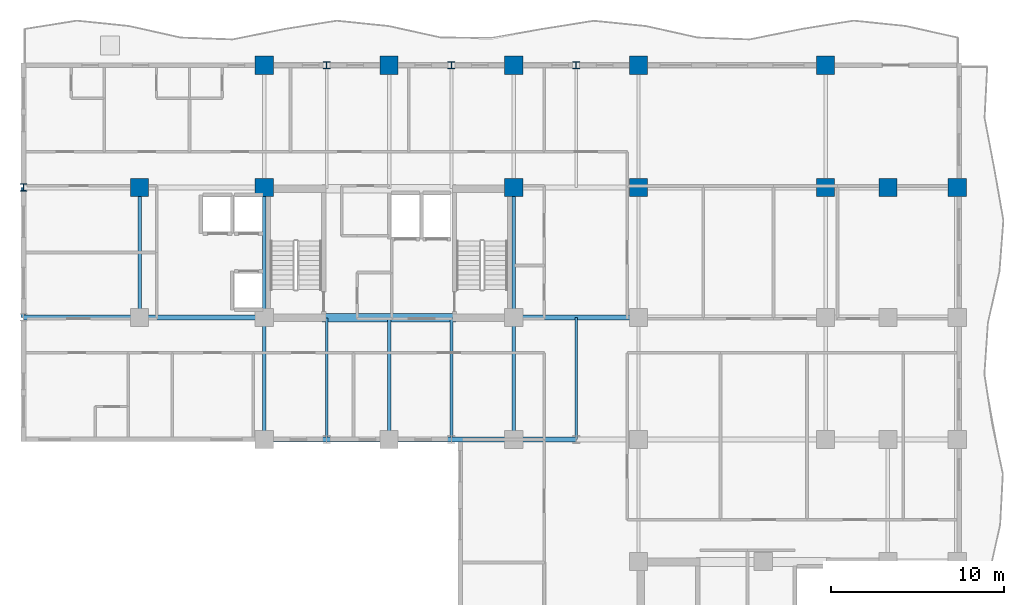
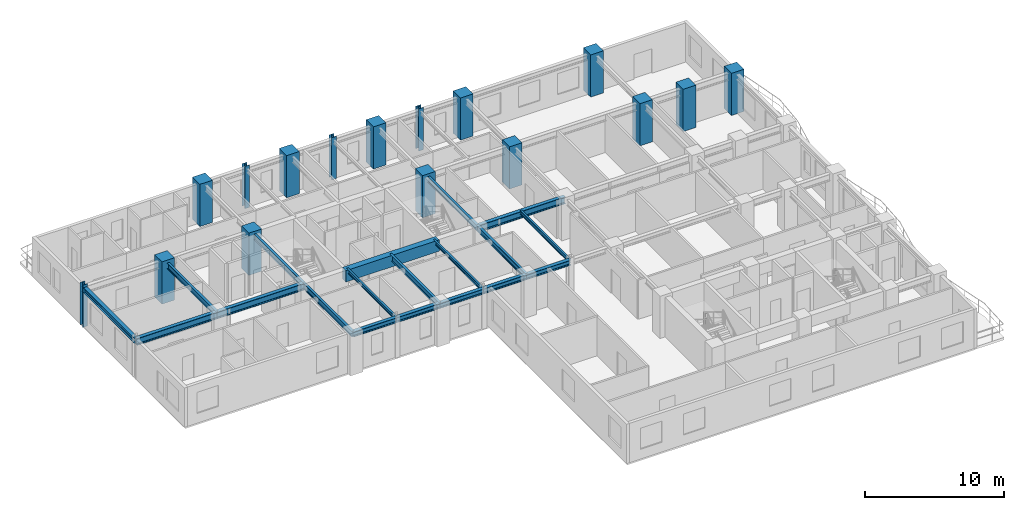
# One storey, part 2 of 13: 19 beams, 16 columns.
"""IFC4 building model written with IfcOpenShell, lengths in metres."""

import ifcopenshell
import ifcopenshell.guid

model = None  # the IFC model being written
_history = None  # IfcOwnerHistory: only IFC2X3 demands one
_inside = {}  # id of a spatial element -> (the spatial element, [elements in it])
_under = {}  # id of a project, library or spatial element -> (it, [spatial elements below it])
_declared = {}  # id of a project -> (the project, [libraries it declares])
_typed = {}  # id of a type object -> (the type object, [elements of that type])
_made_of = {}  # id of a material, layer set ... -> (it, [elements and type objects made of it])


def new_model(schema):
    """Start an empty IFC model of exactly this schema.

    Asked for "IFC4X3", IfcOpenShell would pick the latest addendum, in which some entities
    have other attributes; the version numbers below select the first issue.
    IFC2X3 requires an IfcOwnerHistory on every rooted entity: one is made here for all.
    """
    global model, _history
    if schema == "IFC4X3":
        model = ifcopenshell.file(schema_version=(4, 3, 0, 0))
    else:
        model = ifcopenshell.file(schema=schema)
    _inside.clear()
    _under.clear()
    _declared.clear()
    _typed.clear()
    _made_of.clear()
    _history = None
    if model.schema == "IFC2X3":
        org = make("IfcOrganization", Name="unknown")
        user = make(
            "IfcPersonAndOrganization",
            ThePerson=make("IfcPerson", FamilyName="unknown"),
            TheOrganization=org,
        )
        app = make(
            "IfcApplication",
            ApplicationDeveloper=org,
            Version="unknown",
            ApplicationFullName="unknown",
            ApplicationIdentifier="unknown",
        )
        _history = make(
            "IfcOwnerHistory",
            OwningUser=user,
            OwningApplication=app,
            ChangeAction="ADDED",
            CreationDate=0,
        )
    return model


def make(cls, **values):
    """One entity of the class cls with the attributes given. An attribute that is None is left unset."""
    return model.create_entity(
        cls, **{name: value for name, value in values.items() if value is not None}
    )


def rooted(cls, **values):
    """An entity with a GlobalId (a new one), such as an element, a storey or a relation."""
    return make(cls, GlobalId=ifcopenshell.guid.new(), OwnerHistory=_history, **values)


def si_unit(unit_type, name, prefix=None):
    """IfcSIUnit, for example si_unit("LENGTHUNIT", "METRE", prefix="MILLI")."""
    return make("IfcSIUnit", UnitType=unit_type, Prefix=prefix, Name=name)


def assignment(units):
    """IfcUnitAssignment: the units of a project."""
    return None if units is None else make("IfcUnitAssignment", Units=units)


def point(xyz):
    """IfcCartesianPoint."""
    return None if xyz is None else make("IfcCartesianPoint", Coordinates=xyz)


def direction(xyz):
    """IfcDirection."""
    return None if xyz is None else make("IfcDirection", DirectionRatios=xyz)


def frame(location, z_axis=None, x_axis=None):
    """IfcAxis2Placement3D, a coordinate frame: its origin and axes. An axis left out is left unset."""
    return make(
        "IfcAxis2Placement3D",
        Location=point(location),
        Axis=direction(z_axis),
        RefDirection=direction(x_axis),
    )


def frame_2d(location, x_axis=None):
    """IfcAxis2Placement2D, a coordinate frame in the plane: its origin and x axis."""
    return make(
        "IfcAxis2Placement2D", Location=point(location), RefDirection=direction(x_axis)
    )


def origin():
    """The frame at (0, 0, 0) with its axes left unset."""
    return frame((0.0, 0.0, 0.0))


def origin_2d():
    """The frame at (0, 0) in the plane with its x axis left unset."""
    return frame_2d((0.0, 0.0))


def place(relative_to, where):
    """IfcLocalPlacement: puts the frame where relative to a parent placement (None: the world)."""
    return make(
        "IfcLocalPlacement", PlacementRelTo=relative_to, RelativePlacement=where
    )


def context(
    kind, dimensions, precision=None, world=None, true_north=None, identifier=None
):
    """IfcGeometricRepresentationContext, for example the 3D "Model" context."""
    return make(
        "IfcGeometricRepresentationContext",
        ContextIdentifier=identifier,
        ContextType=kind,
        CoordinateSpaceDimension=dimensions,
        Precision=precision,
        WorldCoordinateSystem=world,
        TrueNorth=true_north,
    )


def subcontext(parent, identifier, kind, view, scale=None):
    """IfcGeometricRepresentationSubContext, for example "Body" below "Model"."""
    return make(
        "IfcGeometricRepresentationSubContext",
        ContextIdentifier=identifier,
        ContextType=kind,
        ParentContext=parent,
        TargetScale=scale,
        TargetView=view,
    )


def project(units=None, contexts=None):
    """IfcProject with its units and contexts."""
    return rooted(
        "IfcProject",
        Name="project",
        RepresentationContexts=contexts,
        UnitsInContext=assignment(units),
    )


def spatial(cls, under=None, at=None, **own):
    """A site, building, storey or space (cls), placed at a placement, below another one or the project."""
    s = rooted(cls, ObjectPlacement=at, **own)
    if under is not None:
        _under.setdefault(under.id(), (under, []))[1].append(s)
    return s


def profile(cls, at=None, kind="AREA", **sizes):
    """A parametric profile (cls). Its sizes go by their IFC names, for example OverallWidth=200.0."""
    return make(cls, ProfileType=kind, Position=at, **sizes)


def rectangle(**sizes):
    """IfcRectangleProfileDef."""
    return profile("IfcRectangleProfileDef", **sizes)


def i_section(**sizes):
    """IfcIShapeProfileDef."""
    return profile("IfcIShapeProfileDef", **sizes)


def extrude(swept, where, along, depth):
    """IfcExtrudedAreaSolid: the profile swept, set in the frame where, extruded along a direction by depth."""
    return make(
        "IfcExtrudedAreaSolid",
        SweptArea=swept,
        Position=where,
        ExtrudedDirection=direction(along),
        Depth=depth,
    )


def shape(context_of_items, identifier, shape_type, items):
    """IfcShapeRepresentation: the items that make up one representation, for example the "Body"."""
    return make(
        "IfcShapeRepresentation",
        ContextOfItems=context_of_items,
        RepresentationIdentifier=identifier,
        RepresentationType=shape_type,
        Items=items,
    )


def source(mapping_origin, context_of_items, identifier, shape_type, items):
    """IfcRepresentationMap: a shape defined once, which mapped items show again and again."""
    return make(
        "IfcRepresentationMap",
        MappingOrigin=mapping_origin,
        MappedRepresentation=shape(context_of_items, identifier, shape_type, items),
    )


def transform(
    local_origin,
    x_axis=None,
    y_axis=None,
    z_axis=None,
    scale=None,
    scale2=None,
    scale3=None,
    uniform=True,
):
    """IfcCartesianTransformationOperator3D, or its non-uniform kind. x_axis, y_axis, z_axis: its Axis1, 2, 3."""
    if uniform:
        return make(
            "IfcCartesianTransformationOperator3D",
            Axis1=direction(x_axis),
            Axis2=direction(y_axis),
            LocalOrigin=point(local_origin),
            Scale=scale,
            Axis3=direction(z_axis),
        )
    return make(
        "IfcCartesianTransformationOperator3DnonUniform",
        Axis1=direction(x_axis),
        Axis2=direction(y_axis),
        LocalOrigin=point(local_origin),
        Scale=scale,
        Axis3=direction(z_axis),
        Scale2=scale2,
        Scale3=scale3,
    )


def mapped(mapping_source, mapping_target):
    """IfcMappedItem: shows the shape of a source again, moved by a transform."""
    return make(
        "IfcMappedItem", MappingSource=mapping_source, MappingTarget=mapping_target
    )


def material(Name=None, Category=None):
    """IfcMaterial."""
    return make("IfcMaterial", Name=Name, Category=Category)


def material_profile(
    of_material, cross_section, Name=None, Category=None, Priority=None
):
    """IfcMaterialProfile: a cross section and its material."""
    return make(
        "IfcMaterialProfile",
        Name=Name,
        Material=of_material,
        Profile=cross_section,
        Priority=Priority,
        Category=Category,
    )


def profile_set(profiles, Name=None, composite=None):
    """IfcMaterialProfileSet."""
    return make(
        "IfcMaterialProfileSet",
        Name=Name,
        MaterialProfiles=profiles,
        CompositeProfile=composite,
    )


def made_of(thing, what):
    """Note that an element or type object is made of a material, layer set ...; save() writes the relation."""
    if what is not None:
        _made_of.setdefault(what.id(), (what, []))[1].append(thing)
    return thing


def type_object(cls, material=None, **own):
    """A type object (cls), such as IfcWallType, which elements share."""
    return made_of(rooted(cls, **own), material)


def element(
    cls,
    number,
    at=None,
    inside=None,
    cuts=None,
    type_object=None,
    material=None,
    context=None,
    identifier="Body",
    shape_type=None,
    held_by="IfcProductDefinitionShape",
    body=None,
    shapes=None,
    **own,
):
    """One element of the class cls, such as IfcWall. Its Tag is "e" and its number.

    at: its placement. inside: the storey or other place that contains it. cuts: it is an
    opening in that element (IfcRelVoidsElement). A single representation is given by context,
    identifier, shape_type and body (its items); several are given by shapes. held_by: the class
    of the entity that holds the representations. save() writes the other relations.
    """
    e = rooted(cls, Tag="e%d" % number, ObjectPlacement=at, **own)
    if body is not None:
        shapes = [shape(context, identifier, shape_type, body)]
    if shapes is not None:
        e.Representation = make(held_by, Representations=shapes)
    if inside is not None:
        _inside.setdefault(inside.id(), (inside, []))[1].append(e)
    if cuts is not None:
        rooted(
            "IfcRelVoidsElement", RelatingBuildingElement=cuts, RelatedOpeningElement=e
        )
    if type_object is not None:
        _typed.setdefault(type_object.id(), (type_object, []))[1].append(e)
    return made_of(e, material)


def aggregate(whole, parts):
    """IfcRelAggregates: a whole, such as a stair, and the parts it consists of."""
    return rooted("IfcRelAggregates", RelatingObject=whole, RelatedObjects=parts)


def save(model, path):
    """Write the relations noted so far, then the file.

    IfcRelAggregates (storeys below a building ...), IfcRelContainedInSpatialStructure (elements
    in a storey), IfcRelDefinesByType, IfcRelAssociatesMaterial and IfcRelDeclares: one each for
    every whole, place, type object, material and project.
    """
    for whole, parts in _under.values():
        aggregate(whole, parts)
    for where, things in _inside.values():
        rooted(
            "IfcRelContainedInSpatialStructure",
            RelatedElements=things,
            RelatingStructure=where,
        )
    for kind, things in _typed.values():
        rooted("IfcRelDefinesByType", RelatedObjects=things, RelatingType=kind)
    for what, things in _made_of.values():
        rooted("IfcRelAssociatesMaterial", RelatedObjects=things, RelatingMaterial=what)
    for by, libraries in _declared.values():
        rooted("IfcRelDeclares", RelatingContext=by, RelatedDefinitions=libraries)
    model.write(path)


model = new_model("IFC4")

# Units and contexts
model_context = context("Model", 3, precision=1e-05, world=origin(), true_north=direction((0.0, 1.0)))
body_context = subcontext(model_context, "Body", "Model", "MODEL_VIEW")
ifc_project = project(units=[si_unit("LENGTHUNIT", "METRE"), si_unit("AREAUNIT", "SQUARE_METRE"), si_unit("VOLUMEUNIT", "CUBIC_METRE"), si_unit("PLANEANGLEUNIT", "RADIAN"), si_unit("MASSUNIT", "GRAM", prefix="KILO")], contexts=[model_context])

# Site, building, storey
site_placement = place(None, origin())
site = spatial("IfcSite", under=ifc_project, at=site_placement, CompositionType="ELEMENT")
building_placement = place(site_placement, origin())
building = spatial("IfcBuilding", under=site, at=building_placement, Name="Kaliganga Portal Commons", CompositionType="ELEMENT")
storey_placement = place(building_placement, frame((0.0, 0.0, 162.39990234375)))
storey = spatial("IfcBuildingStorey", under=building, at=storey_placement, Name="L41", CompositionType="ELEMENT", Elevation=162.39990234375)

# Columns
ifc_material_1 = material(Name="Concrete C60/75", Category="concrete")
ifc_material_profile_1 = material_profile(ifc_material_1, rectangle(XDim=1.050048828125, YDim=1.050048828125, at=origin_2d()), Name="RC 1050x1050")
ifc_profile_set_1 = profile_set([ifc_material_profile_1], Name="Concrete C60/75")
column_type_1 = type_object("IfcColumnType", Name="COL-MEGA-Z3", PredefinedType="COLUMN", material=ifc_profile_set_1)
shared_shape_1 = source(origin(), body_context, "Body", "SweptSolid", [
    extrude(rectangle(XDim=1.050048828125, YDim=1.050048828125, at=origin_2d()), origin(), (0.0, 0.0, 1.0), 3.7001953125),
])
for number, where, z_axis, x_axis, name in (
    (1, (7.199951171875, 36.14990234375, 0.0), (0.0, 0.0, 1.0), (1.0, 0.0, 0.0), "Column MC-04 L41"),
    (2, (14.39990234375, 36.14990234375, 0.0), (0.0, 0.0, 1.0), (1.0, 0.0, 0.0), "Column MC-04 L41"),
    (3, (14.39990234375, 43.199951171875, 0.0), (0.0, 0.0, 1.0), (1.0, 0.0, 0.0), "Column MC-04 L41"),
    (4, (21.60009765625, 43.199951171875, 0.0), (0.0, 0.0, 1.0), (1.0, 0.0, 0.0), "Column MC-04 L41"),
    (5, (28.800048828125, 36.14990234375, 0.0), (0.0, 0.0, 1.0), (1.0, 0.0, 0.0), "Column MC-04 L41"),
    (6, (28.800048828125, 43.199951171875, 0.0), (0.0, 0.0, 1.0), (1.0, 0.0, 0.0), "Column MC-04 L41"),
    (7, (36.0, 43.199951171875, 0.0), (0.0, 0.0, 1.0), (1.0, 0.0, 0.0), "Column MC-04 L41"),
    (8, (36.0, 36.14990234375, 0.0), (0.0, 0.0, 1.0), (1.0, 0.0, 0.0), "Column MC-04 L41"),
    (9, (46.800048828125, 36.14990234375, 0.0), (0.0, 0.0, 1.0), (1.0, 0.0, 0.0), "Column MC-04 L41"),
    (10, (46.800048828125, 43.199951171875, 0.0), (0.0, 0.0, 1.0), (1.0, 0.0, 0.0), "Column MC-04 L41"),
    (11, (50.39990234375, 36.14990234375, 0.0), (0.0, 0.0, 1.0), (1.0, 0.0, 0.0), "Column MC-04 L41"),
    (12, (54.39990234375, 36.14990234375, 0.0), (0.0, 0.0, 1.0), (1.0, 0.0, 0.0), "Column MC-04 L41"),
):
    element("IfcColumn", number, at=place(storey_placement, frame(where, z_axis=z_axis, x_axis=x_axis)), inside=storey, type_object=column_type_1, Name=name, PredefinedType="COLUMN", context=body_context, shape_type="MappedRepresentation", body=[
        mapped(shared_shape_1, transform((0.0, 0.0, 0.0), x_axis=(1.0, 0.0, 0.0), y_axis=(0.0, 1.0, 0.0), z_axis=(0.0, 0.0, 1.0), scale=1.0)),
    ])
ifc_material_2 = material(Name="Structural steel S460M", Category="steel")
ifc_material_profile_2 = material_profile(ifc_material_2, i_section(OverallWidth=0.404052734375, OverallDepth=0.4140625, WebThickness=0.0205078125, FlangeThickness=0.028076171875, FilletRadius=0.014892578125, at=origin_2d()), Name="HD 400x347")
ifc_profile_set_2 = profile_set([ifc_material_profile_2], Name="Structural steel S460M wide-flange")
column_type_2 = type_object("IfcColumnType", Name="COL-TUBE-B3", PredefinedType="COLUMN", material=ifc_profile_set_2)
shared_shape_2 = source(origin(), body_context, "Body", "SweptSolid", [
    extrude(i_section(OverallWidth=0.404052734375, OverallDepth=0.4140625, WebThickness=0.0205078125, FlangeThickness=0.028076171875, FilletRadius=0.014892578125, at=origin_2d()), origin(), (0.0, 0.0, 1.0), 3.7001953125),
])
for number, where, z_axis, x_axis, name in (
    (13, (0.5, 36.14990234375, 0.0), (0.0, 0.0, 1.0), (1.0, 0.0, 0.0), "Column TC-03 L41"),
    (14, (18.0, 43.199951171875, 0.0), (0.0, 0.0, 1.0), (1.0, 0.0, 0.0), "Column TC-03 L41"),
    (15, (25.199951171875, 43.199951171875, 0.0), (0.0, 0.0, 1.0), (1.0, 0.0, 0.0), "Column TC-03 L41"),
    (16, (32.39990234375, 43.199951171875, 0.0), (0.0, 0.0, 1.0), (1.0, 0.0, 0.0), "Column TC-03 L41"),
):
    element("IfcColumn", number, at=place(storey_placement, frame(where, z_axis=z_axis, x_axis=x_axis)), inside=storey, type_object=column_type_2, Name=name, PredefinedType="COLUMN", context=body_context, shape_type="MappedRepresentation", body=[
        mapped(shared_shape_2, transform((0.0, 0.0, 0.0), x_axis=(1.0, 0.0, 0.0), y_axis=(0.0, 1.0, 0.0), z_axis=(0.0, 0.0, 1.0), scale=1.0)),
    ])

# Beams
ifc_material_3 = material(Name="Concrete C50/60", Category="concrete")
ifc_material_profile_3 = material_profile(ifc_material_3, rectangle(XDim=0.5, YDim=1.0, at=origin_2d()), Name="RC 500x1000")
ifc_profile_set_3 = profile_set([ifc_material_profile_3], Name="Concrete C50/60")
beam_type_1 = type_object("IfcBeamType", Name="BM-CPL-1000", PredefinedType="LINTEL", material=ifc_profile_set_3)
shared_shape_3 = source(origin(), body_context, "Body", "SweptSolid", [
    extrude(rectangle(XDim=0.5, YDim=1.0, at=origin_2d()), origin(), (0.0, 0.0, 1.0), 7.739990234375),
])
beam_1_placement = place(storey_placement, frame((17.72998046875, 28.625, 2.960205078125), z_axis=(1.0, 0.0, 0.0), x_axis=(0.0, 1.0, 0.0)))
element("IfcBeam", 17, at=beam_1_placement, inside=storey, type_object=beam_type_1, Name="BM CPL COREA L41 S", PredefinedType="LINTEL", context=body_context, shape_type="MappedRepresentation", body=[
    mapped(shared_shape_3, transform((0.0, 0.0, 0.0), x_axis=(1.0, 0.0, 0.0), y_axis=(0.0, 1.0, 0.0), z_axis=(0.0, 0.0, 1.0), scale=1.0)),
])
ifc_material_4 = material(Name="Structural steel S355J2", Category="steel")
ifc_material_profile_4 = material_profile(ifc_material_4, i_section(OverallWidth=0.199951171875, OverallDepth=0.5, WebThickness=0.01025390625, FlangeThickness=0.01611328125, FilletRadius=0.02099609375, at=origin_2d()), Name="IPE 500")
ifc_profile_set_4 = profile_set([ifc_material_profile_4], Name="Structural steel S355J2 wide-flange")
beam_type_2 = type_object("IfcBeamType", Name="BM-FLR-500", PredefinedType="BEAM", material=ifc_profile_set_4)
shared_shape_4 = source(origin(), body_context, "Body", "SweptSolid", [
    extrude(i_section(OverallWidth=0.199951171875, OverallDepth=0.5, WebThickness=0.01025390625, FlangeThickness=0.01611328125, FilletRadius=0.02099609375, at=origin_2d()), origin(), (0.0, 0.0, 1.0), 7.5),
])
for number, where, z_axis, x_axis, name in (
    (18, (7.199951171875, 28.64990234375, 3.210205078125), (0.0, 1.0, 0.0), (-1.0, 0.0, 0.0), "BM G L41 AW72"),
    (19, (14.39990234375, 28.64990234375, 3.210205078125), (0.0, 1.0, 0.0), (-1.0, 0.0, 0.0), "BM G L41 AM144"),
    (20, (28.800048828125, 28.64990234375, 3.210205078125), (0.0, 1.0, 0.0), (-1.0, 0.0, 0.0), "BM G L41 AM288"),
):
    element("IfcBeam", number, at=place(storey_placement, frame(where, z_axis=z_axis, x_axis=x_axis)), inside=storey, type_object=beam_type_2, Name=name, PredefinedType="BEAM", context=body_context, shape_type="MappedRepresentation", body=[
        mapped(shared_shape_4, transform((0.0, 0.0, 0.0), x_axis=(1.0, 0.0, 0.0), y_axis=(0.0, 1.0, 0.0), z_axis=(0.0, 0.0, 1.0), scale=1.0)),
    ])
shared_shape_5 = source(origin(), body_context, "Body", "SweptSolid", [
    extrude(i_section(OverallWidth=0.199951171875, OverallDepth=0.5, WebThickness=0.01025390625, FlangeThickness=0.01611328125, FilletRadius=0.02099609375, at=origin_2d()), origin(), (0.0, 0.0, 1.0), 7.0498046875),
])
for number, where, z_axis, x_axis, name in (
    (21, (14.39990234375, 21.60009765625, 3.210205078125), (0.0, 1.0, 0.0), (-1.0, 0.0, 0.0), "BM G L41 AS144"),
    (22, (28.800048828125, 21.60009765625, 3.210205078125), (0.0, 1.0, 0.0), (-1.0, 0.0, 0.0), "BM G L41 AS288"),
):
    element("IfcBeam", number, at=place(storey_placement, frame(where, z_axis=z_axis, x_axis=x_axis)), inside=storey, type_object=beam_type_2, Name=name, PredefinedType="BEAM", context=body_context, shape_type="MappedRepresentation", body=[
        mapped(shared_shape_5, transform((0.0, 0.0, 0.0), x_axis=(1.0, 0.0, 0.0), y_axis=(0.0, 1.0, 0.0), z_axis=(0.0, 0.0, 1.0), scale=1.0)),
    ])
ifc_material_profile_5 = material_profile(ifc_material_4, i_section(OverallWidth=0.300048828125, OverallDepth=0.449951171875, WebThickness=0.013916015625, FlangeThickness=0.02587890625, FilletRadius=0.027099609375, at=origin_2d()), Name="HE 450 B")
ifc_profile_set_5 = profile_set([ifc_material_profile_5], Name="Structural steel S355J2 wide-flange")
beam_type_3 = type_object("IfcBeamType", Name="BM-SPAND-450", PredefinedType="SPANDREL", material=ifc_profile_set_5)
shared_shape_6 = source(origin(), body_context, "Body", "SweptSolid", [
    extrude(i_section(OverallWidth=0.300048828125, OverallDepth=0.449951171875, WebThickness=0.013916015625, FlangeThickness=0.02587890625, FilletRadius=0.027099609375, at=origin_2d()), origin(), (0.0, 0.0, 1.0), 3.60009765625),
])
for number, where, z_axis, x_axis, name in (
    (23, (14.39990234375, 21.60009765625, 3.235107421875), (1.0, 0.0, 0.0), (0.0, 1.0, 0.0), "BM SP L41 AS 1"),
    (24, (18.0, 21.60009765625, 3.235107421875), (1.0, 0.0, 0.0), (0.0, 1.0, 0.0), "BM SP L41 AS 2"),
    (25, (25.199951171875, 21.60009765625, 3.235107421875), (1.0, 0.0, 0.0), (0.0, 1.0, 0.0), "BM SP L41 AS 4"),
):
    element("IfcBeam", number, at=place(storey_placement, frame(where, z_axis=z_axis, x_axis=x_axis)), inside=storey, type_object=beam_type_3, Name=name, PredefinedType="SPANDREL", context=body_context, shape_type="MappedRepresentation", body=[
        mapped(shared_shape_6, transform((0.0, 0.0, 0.0), x_axis=(1.0, 0.0, 0.0), y_axis=(0.0, 1.0, 0.0), z_axis=(0.0, 0.0, 1.0), scale=1.0)),
    ])
shared_shape_7 = source(origin(), body_context, "Body", "SweptSolid", [
    extrude(i_section(OverallWidth=0.300048828125, OverallDepth=0.449951171875, WebThickness=0.013916015625, FlangeThickness=0.02587890625, FilletRadius=0.027099609375, at=origin_2d()), origin(), (0.0, 0.0, 1.0), 3.599853515625),
])
for number, where, z_axis, x_axis, name in (
    (26, (21.60009765625, 21.60009765625, 3.235107421875), (1.0, 0.0, 0.0), (0.0, 1.0, 0.0), "BM SP L41 AS 3"),
    (27, (28.800048828125, 21.60009765625, 3.235107421875), (1.0, 0.0, 0.0), (0.0, 1.0, 0.0), "BM SP L41 AS 5"),
):
    element("IfcBeam", number, at=place(storey_placement, frame(where, z_axis=z_axis, x_axis=x_axis)), inside=storey, type_object=beam_type_3, Name=name, PredefinedType="SPANDREL", context=body_context, shape_type="MappedRepresentation", body=[
        mapped(shared_shape_7, transform((0.0, 0.0, 0.0), x_axis=(1.0, 0.0, 0.0), y_axis=(0.0, 1.0, 0.0), z_axis=(0.0, 0.0, 1.0), scale=1.0)),
    ])
ifc_material_profile_6 = material_profile(ifc_material_4, i_section(OverallWidth=0.159912109375, OverallDepth=0.330078125, WebThickness=0.007568359375, FlangeThickness=0.011474609375, FilletRadius=0.01806640625, at=origin_2d()), Name="IPE 330")
ifc_profile_set_6 = profile_set([ifc_material_profile_6], Name="Structural steel S355J2 wide-flange")
beam_type_4 = type_object("IfcBeamType", Name="BM-JST-330", PredefinedType="JOIST", material=ifc_profile_set_6)
shared_shape_8 = source(origin(), body_context, "Body", "SweptSolid", [
    extrude(i_section(OverallWidth=0.159912109375, OverallDepth=0.330078125, WebThickness=0.007568359375, FlangeThickness=0.011474609375, FilletRadius=0.01806640625, at=origin_2d()), origin(), (0.0, 0.0, 1.0), 7.0498046875),
])
beam_2_placement = place(storey_placement, frame((32.39990234375, 21.60009765625, 3.295166015625), z_axis=(0.0, 1.0, 0.0), x_axis=(-1.0, 0.0, 0.0)))
element("IfcBeam", 28, at=beam_2_placement, inside=storey, type_object=beam_type_4, Name="BM G L41 AS324", PredefinedType="JOIST", context=body_context, shape_type="MappedRepresentation", body=[
    mapped(shared_shape_8, transform((0.0, 0.0, 0.0), x_axis=(1.0, 0.0, 0.0), y_axis=(0.0, 1.0, 0.0), z_axis=(0.0, 0.0, 1.0), scale=1.0)),
])
shared_shape_9 = source(origin(), body_context, "Body", "SweptSolid", [
    extrude(i_section(OverallWidth=0.300048828125, OverallDepth=0.449951171875, WebThickness=0.013916015625, FlangeThickness=0.02587890625, FilletRadius=0.027099609375, at=origin_2d()), origin(), (0.0, 0.0, 1.0), 7.5),
])
beam_3_placement = place(storey_placement, frame((0.5, 28.64990234375, 3.235107421875), z_axis=(0.0, 1.0, 0.0), x_axis=(-1.0, 0.0, 0.0)))
element("IfcBeam", 29, at=beam_3_placement, inside=storey, type_object=beam_type_3, Name="BM SP L41 AW", PredefinedType="SPANDREL", context=body_context, shape_type="MappedRepresentation", body=[
    mapped(shared_shape_9, transform((0.0, 0.0, 0.0), x_axis=(1.0, 0.0, 0.0), y_axis=(0.0, 1.0, 0.0), z_axis=(0.0, 0.0, 1.0), scale=1.0)),
])
ifc_material_profile_7 = material_profile(ifc_material_4, i_section(OverallWidth=0.300048828125, OverallDepth=0.60009765625, WebThickness=0.015380859375, FlangeThickness=0.030029296875, FilletRadius=0.027099609375, at=origin_2d()), Name="HE 600 B")
ifc_profile_set_7 = profile_set([ifc_material_profile_7], Name="Structural steel S355J2 wide-flange")
beam_type_5 = type_object("IfcBeamType", Name="BM-GIRD-600", PredefinedType="USERDEFINED", material=ifc_profile_set_7)
shared_shape_10 = source(origin(), body_context, "Body", "SweptSolid", [
    extrude(i_section(OverallWidth=0.300048828125, OverallDepth=0.60009765625, WebThickness=0.015380859375, FlangeThickness=0.030029296875, FilletRadius=0.027099609375, at=origin_2d()), origin(), (0.0, 0.0, 1.0), 6.699951171875),
])
beam_4_placement = place(storey_placement, frame((0.5, 28.64990234375, 3.16015625), z_axis=(1.0, 0.0, 0.0), x_axis=(0.0, 1.0, 0.0)))
element("IfcBeam", 30, at=beam_4_placement, inside=storey, type_object=beam_type_5, Name="BM G L41 WAH_S 1", ObjectType="GIRDER", PredefinedType="USERDEFINED", context=body_context, shape_type="MappedRepresentation", body=[
    mapped(shared_shape_10, transform((0.0, 0.0, 0.0), x_axis=(1.0, 0.0, 0.0), y_axis=(0.0, 1.0, 0.0), z_axis=(0.0, 0.0, 1.0), scale=1.0)),
])
shared_shape_11 = source(origin(), body_context, "Body", "SweptSolid", [
    extrude(i_section(OverallWidth=0.300048828125, OverallDepth=0.60009765625, WebThickness=0.015380859375, FlangeThickness=0.030029296875, FilletRadius=0.027099609375, at=origin_2d()), origin(), (0.0, 0.0, 1.0), 7.199951171875),
])
for number, where, z_axis, x_axis, name in (
    (31, (7.199951171875, 28.64990234375, 3.16015625), (1.0, 0.0, 0.0), (0.0, 1.0, 0.0), "BM G L41 WAH_S 2"),
    (32, (28.800048828125, 28.64990234375, 3.16015625), (1.0, 0.0, 0.0), (0.0, 1.0, 0.0), "BM G L41 WAE_S 1"),
):
    element("IfcBeam", number, at=place(storey_placement, frame(where, z_axis=z_axis, x_axis=x_axis)), inside=storey, type_object=beam_type_5, Name=name, ObjectType="GIRDER", PredefinedType="USERDEFINED", context=body_context, shape_type="MappedRepresentation", body=[
        mapped(shared_shape_11, transform((0.0, 0.0, 0.0), x_axis=(1.0, 0.0, 0.0), y_axis=(0.0, 1.0, 0.0), z_axis=(0.0, 0.0, 1.0), scale=1.0)),
    ])
shared_shape_12 = source(origin(), body_context, "Body", "SweptSolid", [
    extrude(i_section(OverallWidth=0.159912109375, OverallDepth=0.330078125, WebThickness=0.007568359375, FlangeThickness=0.011474609375, FilletRadius=0.01806640625, at=origin_2d()), origin(), (0.0, 0.0, 1.0), 7.02490234375),
])
for number, where, z_axis, x_axis, name in (
    (33, (18.0, 21.60009765625, 3.295166015625), (0.0, 1.0, 0.0), (-1.0, 0.0, 0.0), "BM G L41 AS180"),
    (34, (25.199951171875, 21.60009765625, 3.295166015625), (0.0, 1.0, 0.0), (-1.0, 0.0, 0.0), "BM G L41 AS252"),
):
    element("IfcBeam", number, at=place(storey_placement, frame(where, z_axis=z_axis, x_axis=x_axis)), inside=storey, type_object=beam_type_4, Name=name, PredefinedType="JOIST", context=body_context, shape_type="MappedRepresentation", body=[
        mapped(shared_shape_12, transform((0.0, 0.0, 0.0), x_axis=(1.0, 0.0, 0.0), y_axis=(0.0, 1.0, 0.0), z_axis=(0.0, 0.0, 1.0), scale=1.0)),
    ])
shared_shape_13 = source(origin(), body_context, "Body", "SweptSolid", [
    extrude(i_section(OverallWidth=0.199951171875, OverallDepth=0.5, WebThickness=0.01025390625, FlangeThickness=0.01611328125, FilletRadius=0.02099609375, at=origin_2d()), origin(), (0.0, 0.0, 1.0), 7.02490234375),
])
beam_5_placement = place(storey_placement, frame((21.60009765625, 21.60009765625, 3.210205078125), z_axis=(0.0, 1.0, 0.0), x_axis=(-1.0, 0.0, 0.0)))
element("IfcBeam", 35, at=beam_5_placement, inside=storey, type_object=beam_type_2, Name="BM G L41 AS216", PredefinedType="BEAM", context=body_context, shape_type="MappedRepresentation", body=[
    mapped(shared_shape_13, transform((0.0, 0.0, 0.0), x_axis=(1.0, 0.0, 0.0), y_axis=(0.0, 1.0, 0.0), z_axis=(0.0, 0.0, 1.0), scale=1.0)),
])

save(model, "model.ifc")
